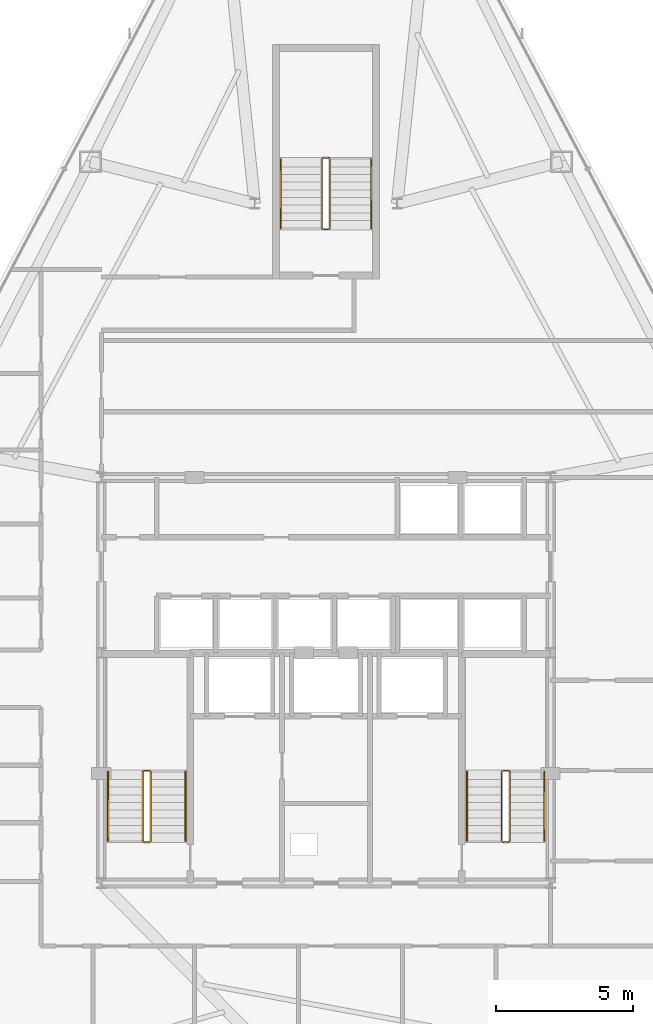
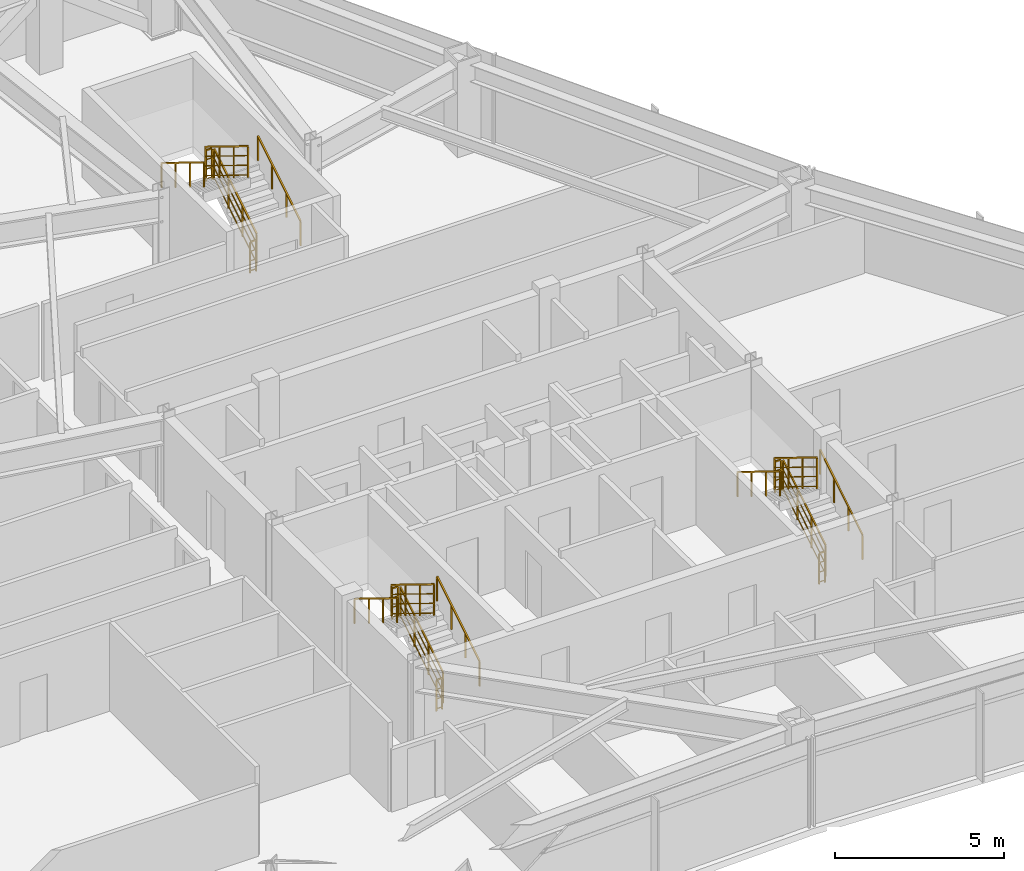
# One storey, part 13 of 13: 18 railings.
"""IFC4 building model written with IfcOpenShell, lengths in metres."""

from ifc_helpers import new_model, si_unit, direction, frame, origin, origin_2d, place, context, subcontext, project, spatial, rectangle, extrude, material, type_object, element, save


model = new_model("IFC4")

# Units and contexts
model_context = context("Model", 3, precision=1e-05, world=origin(), true_north=direction((0.0, 1.0)))
body_context = subcontext(model_context, "Body", "Model", "MODEL_VIEW")
ifc_project = project(units=[si_unit("LENGTHUNIT", "METRE"), si_unit("AREAUNIT", "SQUARE_METRE"), si_unit("VOLUMEUNIT", "CUBIC_METRE"), si_unit("PLANEANGLEUNIT", "RADIAN"), si_unit("MASSUNIT", "GRAM", prefix="KILO")], contexts=[model_context])

# Site, building, storey
site_placement = place(None, origin())
site = spatial("IfcSite", under=ifc_project, at=site_placement, CompositionType="ELEMENT")
building_placement = place(site_placement, origin())
building = spatial("IfcBuilding", under=site, at=building_placement, Name="Varakhsha Concourse Tower", CompositionType="ELEMENT")
storey_placement = place(building_placement, frame((0.0, 0.0, 175.800048828125)))
storey = spatial("IfcBuildingStorey", under=building, at=storey_placement, Name="L50", CompositionType="ELEMENT", Elevation=175.800048828125)

# Railings
ifc_material = material(Name="Brushed Austenitic Stainless Steel AISI 316", Category="steel")
railing_type_1 = type_object("IfcRailingType", Name="RL-STAIR-GUARD-1100", PredefinedType="GUARDRAIL", material=ifc_material)
railing_1_placement = place(storey_placement, frame((33.610107421875, 17.93994140625, 0.17236328125)))
element("IfcRailing", 1, at=railing_1_placement, inside=storey, type_object=railing_type_1, Name="L50 ST1 stair guard 1", PredefinedType="GUARDRAIL", context=body_context, shape_type="SweptSolid", body=[
    extrude(rectangle(XDim=0.048095703125, YDim=0.048095703125, at=origin_2d()), frame((0.0, 0.0, 1.1259765625), z_axis=(0.0, 0.851400495292, 0.524516154772), x_axis=(-1.0, 0.0, 0.0)), (0.0, 0.0, 1.0), 2.9599609375),
    extrude(rectangle(XDim=0.028076171875, YDim=0.028076171875, at=origin_2d()), frame((0.0, 0.0, 0.080078125), z_axis=(0.0, 0.851400495292, 0.524516154772), x_axis=(-1.0, 0.0, 0.0)), (0.0, 0.0, 1.0), 2.9599609375),
    extrude(rectangle(XDim=0.028076171875, YDim=0.028076171875, at=origin_2d()), frame((0.0, 0.0, 0.43701171875), z_axis=(0.0, 0.851400495292, 0.524516154772), x_axis=(-1.0, 0.0, 0.0)), (0.0, 0.0, 1.0), 2.9599609375),
    extrude(rectangle(XDim=0.028076171875, YDim=0.028076171875, at=origin_2d()), frame((0.0, 0.0, 0.781982421875), z_axis=(0.0, 0.851400495292, 0.524516154772), x_axis=(-1.0, 0.0, 0.0)), (0.0, 0.0, 1.0), 2.9599609375),
    extrude(rectangle(XDim=0.0419921875, YDim=0.0419921875, at=origin_2d()), origin(), (0.0, 0.0, 1.0), 1.101806640625),
    extrude(rectangle(XDim=0.0419921875, YDim=0.0419921875, at=origin_2d()), frame((0.0, 0.840087890625, 0.517578125)), (0.0, 0.0, 1.0), 1.101806640625),
    extrude(rectangle(XDim=0.0419921875, YDim=0.0419921875, at=origin_2d()), frame((0.0, 1.679931640625, 1.034912109375)), (0.0, 0.0, 1.0), 1.101806640625),
    extrude(rectangle(XDim=0.0419921875, YDim=0.0419921875, at=origin_2d()), frame((0.0, 2.52001953125, 1.552490234375)), (0.0, 0.0, 1.0), 1.101806640625),
])
railing_2_placement = place(storey_placement, frame((33.56005859375, 20.510009765625, 1.724853515625)))
element("IfcRailing", 2, at=railing_2_placement, inside=storey, type_object=railing_type_1, Name="L50 ST1 stair guard 2", PredefinedType="GUARDRAIL", context=body_context, shape_type="SweptSolid", body=[
    extrude(rectangle(XDim=0.048095703125, YDim=0.048095703125, at=origin_2d()), frame((0.0, 0.0, 1.1259765625), z_axis=(-1.0, 0.0, 0.0), x_axis=(0.0, -1.0, 0.0)), (0.0, 0.0, 1.0), 0.199951171875),
    extrude(rectangle(XDim=0.028076171875, YDim=0.028076171875, at=origin_2d()), frame((0.0, 0.0, 0.080078125), z_axis=(-1.0, 0.0, 0.0), x_axis=(0.0, -1.0, 0.0)), (0.0, 0.0, 1.0), 0.199951171875),
    extrude(rectangle(XDim=0.028076171875, YDim=0.028076171875, at=origin_2d()), frame((0.0, 0.0, 0.43701171875), z_axis=(-1.0, 0.0, 0.0), x_axis=(0.0, -1.0, 0.0)), (0.0, 0.0, 1.0), 0.199951171875),
    extrude(rectangle(XDim=0.028076171875, YDim=0.028076171875, at=origin_2d()), frame((0.0, 0.0, 0.781982421875), z_axis=(-1.0, 0.0, 0.0), x_axis=(0.0, -1.0, 0.0)), (0.0, 0.0, 1.0), 0.199951171875),
    extrude(rectangle(XDim=0.0419921875, YDim=0.0419921875, at=origin_2d()), origin(), (0.0, 0.0, 1.0), 1.101806640625),
    extrude(rectangle(XDim=0.0419921875, YDim=0.0419921875, at=origin_2d()), frame((-0.199951171875, 0.0, 0.0)), (0.0, 0.0, 1.0), 1.101806640625),
])
railing_3_placement = place(storey_placement, frame((33.31005859375, 20.4599609375, 1.8974609375)))
element("IfcRailing", 3, at=railing_3_placement, inside=storey, type_object=railing_type_1, Name="L50 ST1 stair guard 3", PredefinedType="GUARDRAIL", context=body_context, shape_type="SweptSolid", body=[
    extrude(rectangle(XDim=0.048095703125, YDim=0.048095703125, at=origin_2d()), frame((0.0, 0.0, 1.1259765625), z_axis=(0.0, -0.851400495292, 0.524516154772), x_axis=(1.0, 0.0, 0.0)), (0.0, 0.0, 1.0), 2.9599609375),
    extrude(rectangle(XDim=0.028076171875, YDim=0.028076171875, at=origin_2d()), frame((0.0, 0.0, 0.080078125), z_axis=(0.0, -0.851400495292, 0.524516154772), x_axis=(1.0, 0.0, 0.0)), (0.0, 0.0, 1.0), 2.9599609375),
    extrude(rectangle(XDim=0.028076171875, YDim=0.028076171875, at=origin_2d()), frame((0.0, 0.0, 0.43701171875), z_axis=(0.0, -0.851400495292, 0.524516154772), x_axis=(1.0, 0.0, 0.0)), (0.0, 0.0, 1.0), 2.9599609375),
    extrude(rectangle(XDim=0.028076171875, YDim=0.028076171875, at=origin_2d()), frame((0.0, 0.0, 0.781982421875), z_axis=(0.0, -0.851400495292, 0.524516154772), x_axis=(1.0, 0.0, 0.0)), (0.0, 0.0, 1.0), 2.9599609375),
    extrude(rectangle(XDim=0.0419921875, YDim=0.0419921875, at=origin_2d()), origin(), (0.0, 0.0, 1.0), 1.101806640625),
    extrude(rectangle(XDim=0.0419921875, YDim=0.0419921875, at=origin_2d()), frame((0.0, -0.840087890625, 0.517578125)), (0.0, 0.0, 1.0), 1.101806640625),
    extrude(rectangle(XDim=0.0419921875, YDim=0.0419921875, at=origin_2d()), frame((0.0, -1.679931640625, 1.034912109375)), (0.0, 0.0, 1.0), 1.101806640625),
    extrude(rectangle(XDim=0.0419921875, YDim=0.0419921875, at=origin_2d()), frame((0.0, -2.52001953125, 1.552490234375)), (0.0, 0.0, 1.0), 1.101806640625),
])
railing_4_placement = place(storey_placement, frame((33.56005859375, 17.889892578125, 0.0)))
element("IfcRailing", 4, at=railing_4_placement, inside=storey, type_object=railing_type_1, Name="L50 ST1 stair guard 4", PredefinedType="GUARDRAIL", context=body_context, shape_type="SweptSolid", body=[
    extrude(rectangle(XDim=0.048095703125, YDim=0.048095703125, at=origin_2d()), frame((0.0, 0.0, 1.1259765625), z_axis=(-1.0, 0.0, 0.0), x_axis=(0.0, -1.0, 0.0)), (0.0, 0.0, 1.0), 0.199951171875),
    extrude(rectangle(XDim=0.028076171875, YDim=0.028076171875, at=origin_2d()), frame((0.0, 0.0, 0.080078125), z_axis=(-1.0, 0.0, 0.0), x_axis=(0.0, -1.0, 0.0)), (0.0, 0.0, 1.0), 0.199951171875),
    extrude(rectangle(XDim=0.028076171875, YDim=0.028076171875, at=origin_2d()), frame((0.0, 0.0, 0.43701171875), z_axis=(-1.0, 0.0, 0.0), x_axis=(0.0, -1.0, 0.0)), (0.0, 0.0, 1.0), 0.199951171875),
    extrude(rectangle(XDim=0.028076171875, YDim=0.028076171875, at=origin_2d()), frame((0.0, 0.0, 0.781982421875), z_axis=(-1.0, 0.0, 0.0), x_axis=(0.0, -1.0, 0.0)), (0.0, 0.0, 1.0), 0.199951171875),
    extrude(rectangle(XDim=0.0419921875, YDim=0.0419921875, at=origin_2d()), origin(), (0.0, 0.0, 1.0), 1.101806640625),
    extrude(rectangle(XDim=0.0419921875, YDim=0.0419921875, at=origin_2d()), frame((-0.199951171875, 0.0, 0.0)), (0.0, 0.0, 1.0), 1.101806640625),
])
railing_5_placement = place(storey_placement, frame((46.7099609375, 17.93994140625, 0.17236328125)))
element("IfcRailing", 5, at=railing_5_placement, inside=storey, type_object=railing_type_1, Name="L50 ST2 stair guard 1", PredefinedType="GUARDRAIL", context=body_context, shape_type="SweptSolid", body=[
    extrude(rectangle(XDim=0.048095703125, YDim=0.048095703125, at=origin_2d()), frame((0.0, 0.0, 1.1259765625), z_axis=(0.0, 0.851400495292, 0.524516154772), x_axis=(-1.0, 0.0, 0.0)), (0.0, 0.0, 1.0), 2.9599609375),
    extrude(rectangle(XDim=0.028076171875, YDim=0.028076171875, at=origin_2d()), frame((0.0, 0.0, 0.080078125), z_axis=(0.0, 0.851400495292, 0.524516154772), x_axis=(-1.0, 0.0, 0.0)), (0.0, 0.0, 1.0), 2.9599609375),
    extrude(rectangle(XDim=0.028076171875, YDim=0.028076171875, at=origin_2d()), frame((0.0, 0.0, 0.43701171875), z_axis=(0.0, 0.851400495292, 0.524516154772), x_axis=(-1.0, 0.0, 0.0)), (0.0, 0.0, 1.0), 2.9599609375),
    extrude(rectangle(XDim=0.028076171875, YDim=0.028076171875, at=origin_2d()), frame((0.0, 0.0, 0.781982421875), z_axis=(0.0, 0.851400495292, 0.524516154772), x_axis=(-1.0, 0.0, 0.0)), (0.0, 0.0, 1.0), 2.9599609375),
    extrude(rectangle(XDim=0.0419921875, YDim=0.0419921875, at=origin_2d()), origin(), (0.0, 0.0, 1.0), 1.101806640625),
    extrude(rectangle(XDim=0.0419921875, YDim=0.0419921875, at=origin_2d()), frame((0.0, 0.840087890625, 0.517578125)), (0.0, 0.0, 1.0), 1.101806640625),
    extrude(rectangle(XDim=0.0419921875, YDim=0.0419921875, at=origin_2d()), frame((0.0, 1.679931640625, 1.034912109375)), (0.0, 0.0, 1.0), 1.101806640625),
    extrude(rectangle(XDim=0.0419921875, YDim=0.0419921875, at=origin_2d()), frame((0.0, 2.52001953125, 1.552490234375)), (0.0, 0.0, 1.0), 1.101806640625),
])
railing_6_placement = place(storey_placement, frame((46.659912109375, 20.510009765625, 1.724853515625)))
element("IfcRailing", 6, at=railing_6_placement, inside=storey, type_object=railing_type_1, Name="L50 ST2 stair guard 2", PredefinedType="GUARDRAIL", context=body_context, shape_type="SweptSolid", body=[
    extrude(rectangle(XDim=0.048095703125, YDim=0.048095703125, at=origin_2d()), frame((0.0, 0.0, 1.1259765625), z_axis=(-1.0, 0.0, 0.0), x_axis=(0.0, -1.0, 0.0)), (0.0, 0.0, 1.0), 0.199951171875),
    extrude(rectangle(XDim=0.028076171875, YDim=0.028076171875, at=origin_2d()), frame((0.0, 0.0, 0.080078125), z_axis=(-1.0, 0.0, 0.0), x_axis=(0.0, -1.0, 0.0)), (0.0, 0.0, 1.0), 0.199951171875),
    extrude(rectangle(XDim=0.028076171875, YDim=0.028076171875, at=origin_2d()), frame((0.0, 0.0, 0.43701171875), z_axis=(-1.0, 0.0, 0.0), x_axis=(0.0, -1.0, 0.0)), (0.0, 0.0, 1.0), 0.199951171875),
    extrude(rectangle(XDim=0.028076171875, YDim=0.028076171875, at=origin_2d()), frame((0.0, 0.0, 0.781982421875), z_axis=(-1.0, 0.0, 0.0), x_axis=(0.0, -1.0, 0.0)), (0.0, 0.0, 1.0), 0.199951171875),
    extrude(rectangle(XDim=0.0419921875, YDim=0.0419921875, at=origin_2d()), origin(), (0.0, 0.0, 1.0), 1.101806640625),
    extrude(rectangle(XDim=0.0419921875, YDim=0.0419921875, at=origin_2d()), frame((-0.199951171875, 0.0, 0.0)), (0.0, 0.0, 1.0), 1.101806640625),
])
railing_7_placement = place(storey_placement, frame((46.409912109375, 20.4599609375, 1.8974609375)))
element("IfcRailing", 7, at=railing_7_placement, inside=storey, type_object=railing_type_1, Name="L50 ST2 stair guard 3", PredefinedType="GUARDRAIL", context=body_context, shape_type="SweptSolid", body=[
    extrude(rectangle(XDim=0.048095703125, YDim=0.048095703125, at=origin_2d()), frame((0.0, 0.0, 1.1259765625), z_axis=(0.0, -0.851400495292, 0.524516154772), x_axis=(1.0, 0.0, 0.0)), (0.0, 0.0, 1.0), 2.9599609375),
    extrude(rectangle(XDim=0.028076171875, YDim=0.028076171875, at=origin_2d()), frame((0.0, 0.0, 0.080078125), z_axis=(0.0, -0.851400495292, 0.524516154772), x_axis=(1.0, 0.0, 0.0)), (0.0, 0.0, 1.0), 2.9599609375),
    extrude(rectangle(XDim=0.028076171875, YDim=0.028076171875, at=origin_2d()), frame((0.0, 0.0, 0.43701171875), z_axis=(0.0, -0.851400495292, 0.524516154772), x_axis=(1.0, 0.0, 0.0)), (0.0, 0.0, 1.0), 2.9599609375),
    extrude(rectangle(XDim=0.028076171875, YDim=0.028076171875, at=origin_2d()), frame((0.0, 0.0, 0.781982421875), z_axis=(0.0, -0.851400495292, 0.524516154772), x_axis=(1.0, 0.0, 0.0)), (0.0, 0.0, 1.0), 2.9599609375),
    extrude(rectangle(XDim=0.0419921875, YDim=0.0419921875, at=origin_2d()), origin(), (0.0, 0.0, 1.0), 1.101806640625),
    extrude(rectangle(XDim=0.0419921875, YDim=0.0419921875, at=origin_2d()), frame((0.0, -0.840087890625, 0.517578125)), (0.0, 0.0, 1.0), 1.101806640625),
    extrude(rectangle(XDim=0.0419921875, YDim=0.0419921875, at=origin_2d()), frame((0.0, -1.679931640625, 1.034912109375)), (0.0, 0.0, 1.0), 1.101806640625),
    extrude(rectangle(XDim=0.0419921875, YDim=0.0419921875, at=origin_2d()), frame((0.0, -2.52001953125, 1.552490234375)), (0.0, 0.0, 1.0), 1.101806640625),
])
railing_8_placement = place(storey_placement, frame((46.659912109375, 17.889892578125, 0.0)))
element("IfcRailing", 8, at=railing_8_placement, inside=storey, type_object=railing_type_1, Name="L50 ST2 stair guard 4", PredefinedType="GUARDRAIL", context=body_context, shape_type="SweptSolid", body=[
    extrude(rectangle(XDim=0.048095703125, YDim=0.048095703125, at=origin_2d()), frame((0.0, 0.0, 1.1259765625), z_axis=(-1.0, 0.0, 0.0), x_axis=(0.0, -1.0, 0.0)), (0.0, 0.0, 1.0), 0.199951171875),
    extrude(rectangle(XDim=0.028076171875, YDim=0.028076171875, at=origin_2d()), frame((0.0, 0.0, 0.080078125), z_axis=(-1.0, 0.0, 0.0), x_axis=(0.0, -1.0, 0.0)), (0.0, 0.0, 1.0), 0.199951171875),
    extrude(rectangle(XDim=0.028076171875, YDim=0.028076171875, at=origin_2d()), frame((0.0, 0.0, 0.43701171875), z_axis=(-1.0, 0.0, 0.0), x_axis=(0.0, -1.0, 0.0)), (0.0, 0.0, 1.0), 0.199951171875),
    extrude(rectangle(XDim=0.028076171875, YDim=0.028076171875, at=origin_2d()), frame((0.0, 0.0, 0.781982421875), z_axis=(-1.0, 0.0, 0.0), x_axis=(0.0, -1.0, 0.0)), (0.0, 0.0, 1.0), 0.199951171875),
    extrude(rectangle(XDim=0.0419921875, YDim=0.0419921875, at=origin_2d()), origin(), (0.0, 0.0, 1.0), 1.101806640625),
    extrude(rectangle(XDim=0.0419921875, YDim=0.0419921875, at=origin_2d()), frame((-0.199951171875, 0.0, 0.0)), (0.0, 0.0, 1.0), 1.101806640625),
])
railing_9_placement = place(storey_placement, frame((40.14990234375, 40.300048828125, 0.17236328125)))
element("IfcRailing", 9, at=railing_9_placement, inside=storey, type_object=railing_type_1, Name="L50 ST5 stair guard 1", PredefinedType="GUARDRAIL", context=body_context, shape_type="SweptSolid", body=[
    extrude(rectangle(XDim=0.048095703125, YDim=0.048095703125, at=origin_2d()), frame((0.0, 0.0, 1.1259765625), z_axis=(0.0, 0.851400495292, 0.524516154772), x_axis=(-1.0, 0.0, 0.0)), (0.0, 0.0, 1.0), 2.9599609375),
    extrude(rectangle(XDim=0.028076171875, YDim=0.028076171875, at=origin_2d()), frame((0.0, 0.0, 0.080078125), z_axis=(0.0, 0.851400495292, 0.524516154772), x_axis=(-1.0, 0.0, 0.0)), (0.0, 0.0, 1.0), 2.9599609375),
    extrude(rectangle(XDim=0.028076171875, YDim=0.028076171875, at=origin_2d()), frame((0.0, 0.0, 0.43701171875), z_axis=(0.0, 0.851400495292, 0.524516154772), x_axis=(-1.0, 0.0, 0.0)), (0.0, 0.0, 1.0), 2.9599609375),
    extrude(rectangle(XDim=0.028076171875, YDim=0.028076171875, at=origin_2d()), frame((0.0, 0.0, 0.781982421875), z_axis=(0.0, 0.851400495292, 0.524516154772), x_axis=(-1.0, 0.0, 0.0)), (0.0, 0.0, 1.0), 2.9599609375),
    extrude(rectangle(XDim=0.0419921875, YDim=0.0419921875, at=origin_2d()), origin(), (0.0, 0.0, 1.0), 1.101806640625),
    extrude(rectangle(XDim=0.0419921875, YDim=0.0419921875, at=origin_2d()), frame((0.0, 0.840087890625, 0.517578125)), (0.0, 0.0, 1.0), 1.101806640625),
    extrude(rectangle(XDim=0.0419921875, YDim=0.0419921875, at=origin_2d()), frame((0.0, 1.679931640625, 1.034912109375)), (0.0, 0.0, 1.0), 1.101806640625),
    extrude(rectangle(XDim=0.0419921875, YDim=0.0419921875, at=origin_2d()), frame((0.0, 2.52001953125, 1.552490234375)), (0.0, 0.0, 1.0), 1.101806640625),
])
railing_10_placement = place(storey_placement, frame((40.10009765625, 42.8701171875, 1.724853515625)))
element("IfcRailing", 10, at=railing_10_placement, inside=storey, type_object=railing_type_1, Name="L50 ST5 stair guard 2", PredefinedType="GUARDRAIL", context=body_context, shape_type="SweptSolid", body=[
    extrude(rectangle(XDim=0.048095703125, YDim=0.048095703125, at=origin_2d()), frame((0.0, 0.0, 1.1259765625), z_axis=(-1.0, 0.0, 0.0), x_axis=(0.0, -1.0, 0.0)), (0.0, 0.0, 1.0), 0.2001953125),
    extrude(rectangle(XDim=0.028076171875, YDim=0.028076171875, at=origin_2d()), frame((0.0, 0.0, 0.080078125), z_axis=(-1.0, 0.0, 0.0), x_axis=(0.0, -1.0, 0.0)), (0.0, 0.0, 1.0), 0.2001953125),
    extrude(rectangle(XDim=0.028076171875, YDim=0.028076171875, at=origin_2d()), frame((0.0, 0.0, 0.43701171875), z_axis=(-1.0, 0.0, 0.0), x_axis=(0.0, -1.0, 0.0)), (0.0, 0.0, 1.0), 0.2001953125),
    extrude(rectangle(XDim=0.028076171875, YDim=0.028076171875, at=origin_2d()), frame((0.0, 0.0, 0.781982421875), z_axis=(-1.0, 0.0, 0.0), x_axis=(0.0, -1.0, 0.0)), (0.0, 0.0, 1.0), 0.2001953125),
    extrude(rectangle(XDim=0.0419921875, YDim=0.0419921875, at=origin_2d()), origin(), (0.0, 0.0, 1.0), 1.101806640625),
    extrude(rectangle(XDim=0.0419921875, YDim=0.0419921875, at=origin_2d()), frame((-0.2001953125, 0.0, 0.0)), (0.0, 0.0, 1.0), 1.101806640625),
])
railing_11_placement = place(storey_placement, frame((39.85009765625, 42.820068359375, 1.8974609375)))
element("IfcRailing", 11, at=railing_11_placement, inside=storey, type_object=railing_type_1, Name="L50 ST5 stair guard 3", PredefinedType="GUARDRAIL", context=body_context, shape_type="SweptSolid", body=[
    extrude(rectangle(XDim=0.048095703125, YDim=0.048095703125, at=origin_2d()), frame((0.0, 0.0, 1.1259765625), z_axis=(0.0, -0.851400495292, 0.524516154772), x_axis=(1.0, 0.0, 0.0)), (0.0, 0.0, 1.0), 2.9599609375),
    extrude(rectangle(XDim=0.028076171875, YDim=0.028076171875, at=origin_2d()), frame((0.0, 0.0, 0.080078125), z_axis=(0.0, -0.851400495292, 0.524516154772), x_axis=(1.0, 0.0, 0.0)), (0.0, 0.0, 1.0), 2.9599609375),
    extrude(rectangle(XDim=0.028076171875, YDim=0.028076171875, at=origin_2d()), frame((0.0, 0.0, 0.43701171875), z_axis=(0.0, -0.851400495292, 0.524516154772), x_axis=(1.0, 0.0, 0.0)), (0.0, 0.0, 1.0), 2.9599609375),
    extrude(rectangle(XDim=0.028076171875, YDim=0.028076171875, at=origin_2d()), frame((0.0, 0.0, 0.781982421875), z_axis=(0.0, -0.851400495292, 0.524516154772), x_axis=(1.0, 0.0, 0.0)), (0.0, 0.0, 1.0), 2.9599609375),
    extrude(rectangle(XDim=0.0419921875, YDim=0.0419921875, at=origin_2d()), origin(), (0.0, 0.0, 1.0), 1.101806640625),
    extrude(rectangle(XDim=0.0419921875, YDim=0.0419921875, at=origin_2d()), frame((0.0, -0.840087890625, 0.517578125)), (0.0, 0.0, 1.0), 1.101806640625),
    extrude(rectangle(XDim=0.0419921875, YDim=0.0419921875, at=origin_2d()), frame((0.0, -1.679931640625, 1.034912109375)), (0.0, 0.0, 1.0), 1.101806640625),
    extrude(rectangle(XDim=0.0419921875, YDim=0.0419921875, at=origin_2d()), frame((0.0, -2.52001953125, 1.552490234375)), (0.0, 0.0, 1.0), 1.101806640625),
])
railing_12_placement = place(storey_placement, frame((40.10009765625, 40.25, 0.0)))
element("IfcRailing", 12, at=railing_12_placement, inside=storey, type_object=railing_type_1, Name="L50 ST5 stair guard 4", PredefinedType="GUARDRAIL", context=body_context, shape_type="SweptSolid", body=[
    extrude(rectangle(XDim=0.048095703125, YDim=0.048095703125, at=origin_2d()), frame((0.0, 0.0, 1.1259765625), z_axis=(-1.0, 0.0, 0.0), x_axis=(0.0, -1.0, 0.0)), (0.0, 0.0, 1.0), 0.2001953125),
    extrude(rectangle(XDim=0.028076171875, YDim=0.028076171875, at=origin_2d()), frame((0.0, 0.0, 0.080078125), z_axis=(-1.0, 0.0, 0.0), x_axis=(0.0, -1.0, 0.0)), (0.0, 0.0, 1.0), 0.2001953125),
    extrude(rectangle(XDim=0.028076171875, YDim=0.028076171875, at=origin_2d()), frame((0.0, 0.0, 0.43701171875), z_axis=(-1.0, 0.0, 0.0), x_axis=(0.0, -1.0, 0.0)), (0.0, 0.0, 1.0), 0.2001953125),
    extrude(rectangle(XDim=0.028076171875, YDim=0.028076171875, at=origin_2d()), frame((0.0, 0.0, 0.781982421875), z_axis=(-1.0, 0.0, 0.0), x_axis=(0.0, -1.0, 0.0)), (0.0, 0.0, 1.0), 0.2001953125),
    extrude(rectangle(XDim=0.0419921875, YDim=0.0419921875, at=origin_2d()), origin(), (0.0, 0.0, 1.0), 1.101806640625),
    extrude(rectangle(XDim=0.0419921875, YDim=0.0419921875, at=origin_2d()), frame((-0.2001953125, 0.0, 0.0)), (0.0, 0.0, 1.0), 1.101806640625),
])
railing_type_2 = type_object("IfcRailingType", Name="RL-STAIR-RAIL-915", PredefinedType="HANDRAIL", material=ifc_material)
railing_13_placement = place(storey_placement, frame((34.8701171875, 17.93994140625, 0.344970703125)))
element("IfcRailing", 13, at=railing_13_placement, inside=storey, type_object=railing_type_2, Name="L50 ST1 stair handrail 1", PredefinedType="HANDRAIL", context=body_context, shape_type="SweptSolid", body=[
    extrude(rectangle(XDim=0.048095703125, YDim=0.048095703125, at=origin_2d()), frame((0.0, 0.0, 0.89111328125), z_axis=(0.0, 0.851400495292, 0.524516154772), x_axis=(-1.0, 0.0, 0.0)), (0.0, 0.0, 1.0), 2.9599609375),
    extrude(rectangle(XDim=0.0419921875, YDim=0.0419921875, at=origin_2d()), origin(), (0.0, 0.0, 1.0), 0.866943359375),
    extrude(rectangle(XDim=0.0419921875, YDim=0.0419921875, at=origin_2d()), frame((0.0, 0.840087890625, 0.517578125)), (0.0, 0.0, 1.0), 0.866943359375),
    extrude(rectangle(XDim=0.0419921875, YDim=0.0419921875, at=origin_2d()), frame((0.0, 1.679931640625, 1.034912109375)), (0.0, 0.0, 1.0), 0.866943359375),
    extrude(rectangle(XDim=0.0419921875, YDim=0.0419921875, at=origin_2d()), frame((0.0, 2.52001953125, 1.552490234375)), (0.0, 0.0, 1.0), 0.866943359375),
])
railing_14_placement = place(storey_placement, frame((32.050048828125, 20.4599609375, 2.070068359375)))
element("IfcRailing", 14, at=railing_14_placement, inside=storey, type_object=railing_type_2, Name="L50 ST1 stair handrail 2", PredefinedType="HANDRAIL", context=body_context, shape_type="SweptSolid", body=[
    extrude(rectangle(XDim=0.048095703125, YDim=0.048095703125, at=origin_2d()), frame((0.0, 0.0, 0.89111328125), z_axis=(0.0, -0.851400495292, 0.524516154772), x_axis=(1.0, 0.0, 0.0)), (0.0, 0.0, 1.0), 2.9599609375),
    extrude(rectangle(XDim=0.0419921875, YDim=0.0419921875, at=origin_2d()), origin(), (0.0, 0.0, 1.0), 0.866943359375),
    extrude(rectangle(XDim=0.0419921875, YDim=0.0419921875, at=origin_2d()), frame((0.0, -0.840087890625, 0.517578125)), (0.0, 0.0, 1.0), 0.866943359375),
    extrude(rectangle(XDim=0.0419921875, YDim=0.0419921875, at=origin_2d()), frame((0.0, -1.679931640625, 1.034912109375)), (0.0, 0.0, 1.0), 0.866943359375),
    extrude(rectangle(XDim=0.0419921875, YDim=0.0419921875, at=origin_2d()), frame((0.0, -2.52001953125, 1.552490234375)), (0.0, 0.0, 1.0), 0.866943359375),
])
railing_15_placement = place(storey_placement, frame((47.969970703125, 17.93994140625, 0.344970703125)))
element("IfcRailing", 15, at=railing_15_placement, inside=storey, type_object=railing_type_2, Name="L50 ST2 stair handrail 1", PredefinedType="HANDRAIL", context=body_context, shape_type="SweptSolid", body=[
    extrude(rectangle(XDim=0.048095703125, YDim=0.048095703125, at=origin_2d()), frame((0.0, 0.0, 0.89111328125), z_axis=(0.0, 0.851400495292, 0.524516154772), x_axis=(-1.0, 0.0, 0.0)), (0.0, 0.0, 1.0), 2.9599609375),
    extrude(rectangle(XDim=0.0419921875, YDim=0.0419921875, at=origin_2d()), origin(), (0.0, 0.0, 1.0), 0.866943359375),
    extrude(rectangle(XDim=0.0419921875, YDim=0.0419921875, at=origin_2d()), frame((0.0, 0.840087890625, 0.517578125)), (0.0, 0.0, 1.0), 0.866943359375),
    extrude(rectangle(XDim=0.0419921875, YDim=0.0419921875, at=origin_2d()), frame((0.0, 1.679931640625, 1.034912109375)), (0.0, 0.0, 1.0), 0.866943359375),
    extrude(rectangle(XDim=0.0419921875, YDim=0.0419921875, at=origin_2d()), frame((0.0, 2.52001953125, 1.552490234375)), (0.0, 0.0, 1.0), 0.866943359375),
])
railing_16_placement = place(storey_placement, frame((45.14990234375, 20.4599609375, 2.070068359375)))
element("IfcRailing", 16, at=railing_16_placement, inside=storey, type_object=railing_type_2, Name="L50 ST2 stair handrail 2", PredefinedType="HANDRAIL", context=body_context, shape_type="SweptSolid", body=[
    extrude(rectangle(XDim=0.048095703125, YDim=0.048095703125, at=origin_2d()), frame((0.0, 0.0, 0.89111328125), z_axis=(0.0, -0.851400495292, 0.524516154772), x_axis=(1.0, 0.0, 0.0)), (0.0, 0.0, 1.0), 2.9599609375),
    extrude(rectangle(XDim=0.0419921875, YDim=0.0419921875, at=origin_2d()), origin(), (0.0, 0.0, 1.0), 0.866943359375),
    extrude(rectangle(XDim=0.0419921875, YDim=0.0419921875, at=origin_2d()), frame((0.0, -0.840087890625, 0.517578125)), (0.0, 0.0, 1.0), 0.866943359375),
    extrude(rectangle(XDim=0.0419921875, YDim=0.0419921875, at=origin_2d()), frame((0.0, -1.679931640625, 1.034912109375)), (0.0, 0.0, 1.0), 0.866943359375),
    extrude(rectangle(XDim=0.0419921875, YDim=0.0419921875, at=origin_2d()), frame((0.0, -2.52001953125, 1.552490234375)), (0.0, 0.0, 1.0), 0.866943359375),
])
railing_17_placement = place(storey_placement, frame((41.64990234375, 40.300048828125, 0.344970703125)))
element("IfcRailing", 17, at=railing_17_placement, inside=storey, type_object=railing_type_2, Name="L50 ST5 stair handrail 1", PredefinedType="HANDRAIL", context=body_context, shape_type="SweptSolid", body=[
    extrude(rectangle(XDim=0.048095703125, YDim=0.048095703125, at=origin_2d()), frame((0.0, 0.0, 0.89111328125), z_axis=(0.0, 0.851400495292, 0.524516154772), x_axis=(-1.0, 0.0, 0.0)), (0.0, 0.0, 1.0), 2.9599609375),
    extrude(rectangle(XDim=0.0419921875, YDim=0.0419921875, at=origin_2d()), origin(), (0.0, 0.0, 1.0), 0.866943359375),
    extrude(rectangle(XDim=0.0419921875, YDim=0.0419921875, at=origin_2d()), frame((0.0, 0.840087890625, 0.517578125)), (0.0, 0.0, 1.0), 0.866943359375),
    extrude(rectangle(XDim=0.0419921875, YDim=0.0419921875, at=origin_2d()), frame((0.0, 1.679931640625, 1.034912109375)), (0.0, 0.0, 1.0), 0.866943359375),
    extrude(rectangle(XDim=0.0419921875, YDim=0.0419921875, at=origin_2d()), frame((0.0, 2.52001953125, 1.552490234375)), (0.0, 0.0, 1.0), 0.866943359375),
])
railing_18_placement = place(storey_placement, frame((38.35009765625, 42.820068359375, 2.070068359375)))
element("IfcRailing", 18, at=railing_18_placement, inside=storey, type_object=railing_type_2, Name="L50 ST5 stair handrail 2", PredefinedType="HANDRAIL", context=body_context, shape_type="SweptSolid", body=[
    extrude(rectangle(XDim=0.048095703125, YDim=0.048095703125, at=origin_2d()), frame((0.0, 0.0, 0.89111328125), z_axis=(0.0, -0.851400495292, 0.524516154772), x_axis=(1.0, 0.0, 0.0)), (0.0, 0.0, 1.0), 2.9599609375),
    extrude(rectangle(XDim=0.0419921875, YDim=0.0419921875, at=origin_2d()), origin(), (0.0, 0.0, 1.0), 0.866943359375),
    extrude(rectangle(XDim=0.0419921875, YDim=0.0419921875, at=origin_2d()), frame((0.0, -0.840087890625, 0.517578125)), (0.0, 0.0, 1.0), 0.866943359375),
    extrude(rectangle(XDim=0.0419921875, YDim=0.0419921875, at=origin_2d()), frame((0.0, -1.679931640625, 1.034912109375)), (0.0, 0.0, 1.0), 0.866943359375),
    extrude(rectangle(XDim=0.0419921875, YDim=0.0419921875, at=origin_2d()), frame((0.0, -2.52001953125, 1.552490234375)), (0.0, 0.0, 1.0), 0.866943359375),
])

save(model, "model.ifc")
